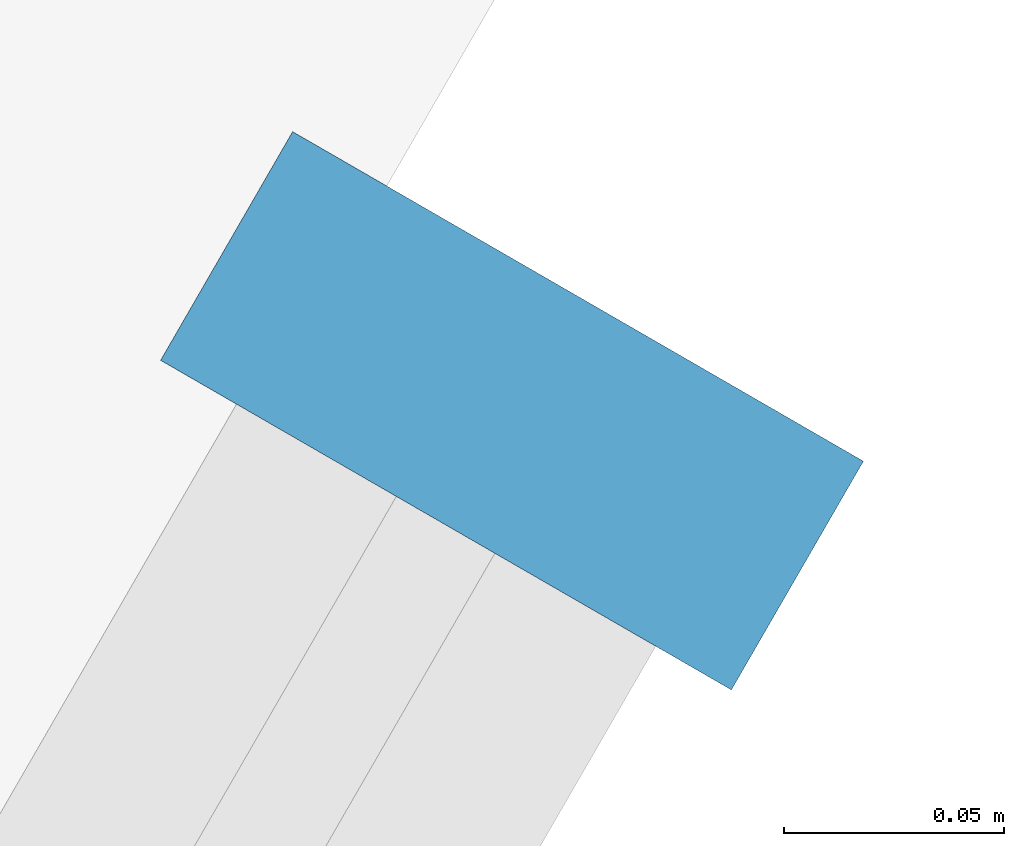
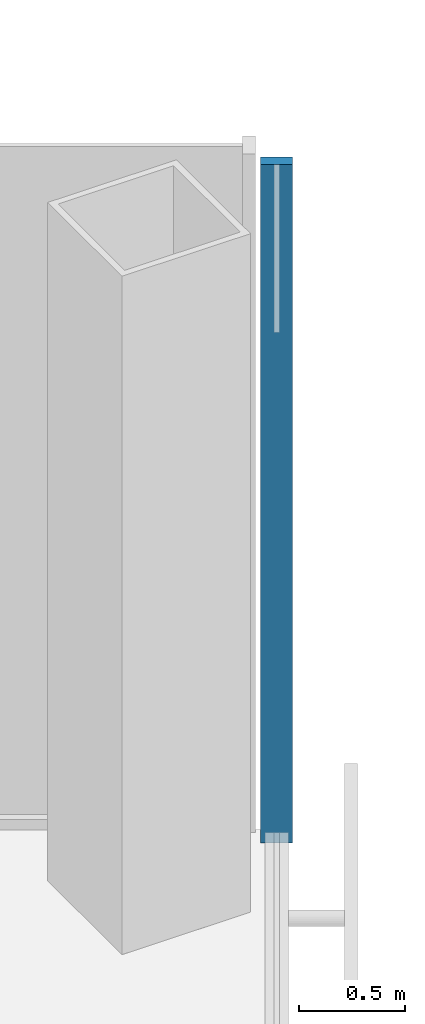
# One storey, part 9 of 18: 1 member, 1 element without a shape of its own.
"""IFC4 building model written with IfcOpenShell, lengths in metres."""

from ifc_helpers import new_model, si_unit, direction, frame, origin, origin_2d, place, context, subcontext, project, spatial, rectangle, extrude, material, material_profile, profile_set, type_object, element, aggregate, save


model = new_model("IFC4")

# Units and contexts
model_context = context("Model", 3, precision=1e-05, world=origin(), true_north=direction((0.0, 1.0)))
body_context = subcontext(model_context, "Body", "Model", "MODEL_VIEW")
ifc_project = project(units=[si_unit("LENGTHUNIT", "METRE"), si_unit("AREAUNIT", "SQUARE_METRE"), si_unit("VOLUMEUNIT", "CUBIC_METRE"), si_unit("PLANEANGLEUNIT", "RADIAN"), si_unit("MASSUNIT", "GRAM", prefix="KILO")], contexts=[model_context])

# Site, building, storey
site_placement = place(None, origin())
site = spatial("IfcSite", under=ifc_project, at=site_placement, CompositionType="ELEMENT")
building_placement = place(site_placement, origin())
building = spatial("IfcBuilding", under=site, at=building_placement, Name="Kasaneha Research Tower", CompositionType="ELEMENT")
storey_placement = place(building_placement, frame((0.0, 0.0, 183.800048828125)))
storey = spatial("IfcBuildingStorey", under=building, at=storey_placement, Name="L46", CompositionType="ELEMENT", Elevation=183.800048828125)

# Curtain wall, member
ifc_material_1 = material(Name="Glass and aluminium", Category="aluminium")
curtain_wall_type = type_object("IfcCurtainWallType", Name="Mid-rise office curtain wall", PredefinedType="USERDEFINED", material=ifc_material_1)
curtain_wall_placement = place(storey_placement, origin())
curtain_wall = element("IfcCurtainWall", 1, at=curtain_wall_placement, inside=storey, type_object=curtain_wall_type, Name="CW-O2 L46 run 04a", ObjectType="UNITISED CURTAIN WALL", PredefinedType="USERDEFINED")
ifc_material_2 = material(Name="Aluminium 6063-T6", Category="aluminium")
ifc_material_profile = material_profile(ifc_material_2, rectangle(XDim=0.06005859375, YDim=0.14990234375, at=origin_2d()), Name="CW-O2 mullion 60x150")
ifc_profile_set = profile_set([ifc_material_profile], Name="Aluminium 6063-T6")
member_type = type_object("IfcMemberType", Name="CW-O2 mullion", PredefinedType="MULLION", material=ifc_profile_set)
member_placement = place(storey_placement, frame((32.012939453125, -6.39306640625, 0.0), z_axis=(0.0, 0.0, 1.0), x_axis=(0.500000011442, 0.866025397178, 0.0)))
member = element("IfcMember", 2, at=member_placement, type_object=member_type, Name="CW-O2 mullion 4", PredefinedType="MULLION", context=body_context, shape_type="SweptSolid", body=[
    extrude(rectangle(XDim=0.06005859375, YDim=0.14990234375, at=origin_2d()), origin(), (0.0, 0.0, 1.0), 3.89990234375),
])
aggregate(curtain_wall, [member])

save(model, "model.ifc")
